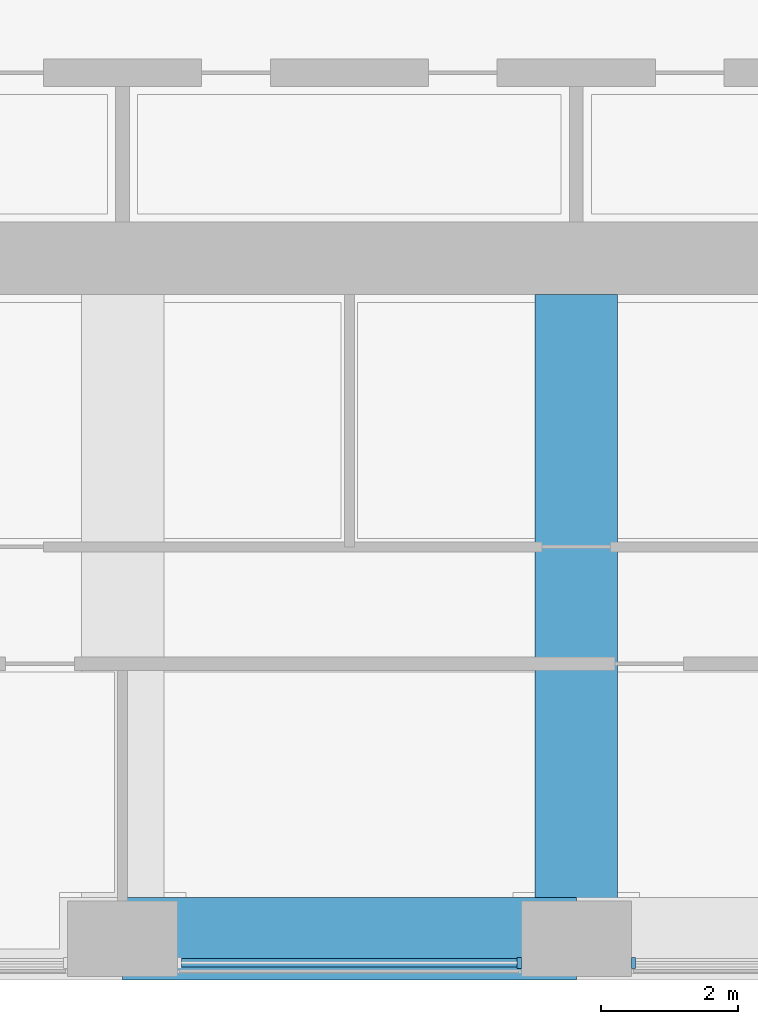
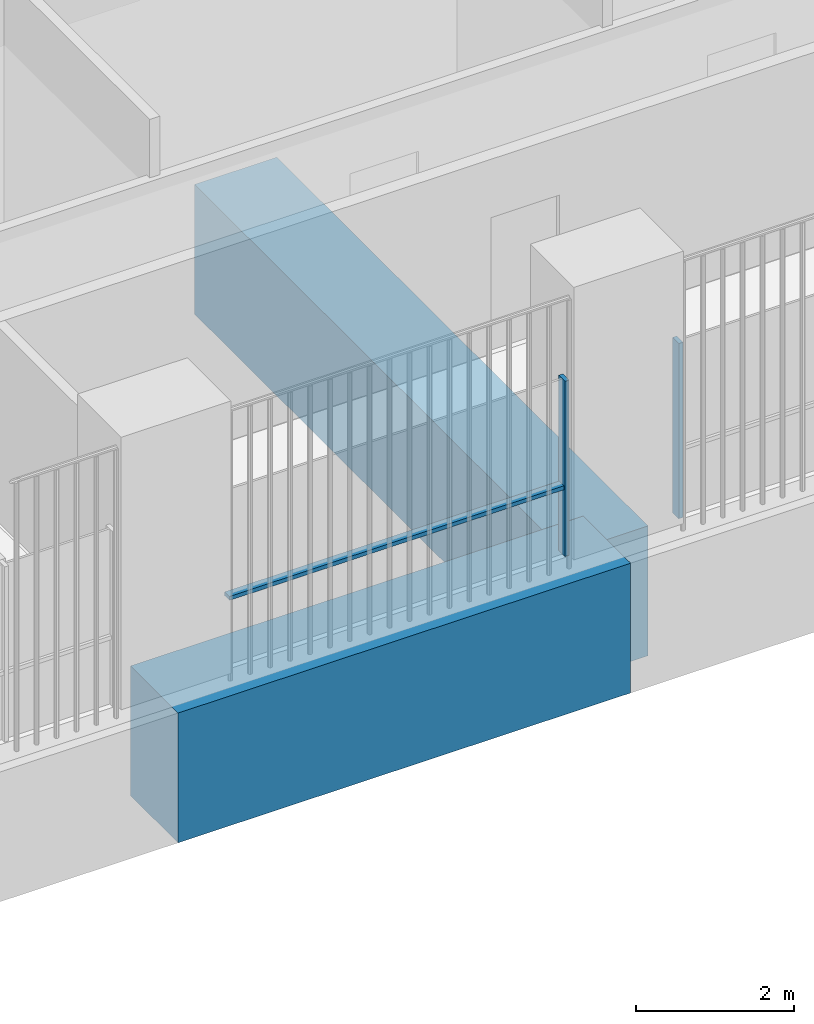
# One storey, part 3 of 24: 3 members, 2 beams, 2 elements without a shape of their own.
"""IFC4 building model written with IfcOpenShell, lengths in metres."""

from ifc_helpers import new_model, si_unit, direction, frame, origin, origin_2d, place, context, subcontext, project, spatial, rectangle, extrude, material, material_profile, profile_set, type_object, element, aggregate, save


model = new_model("IFC4")

# Units and contexts
model_context = context("Model", 3, precision=1e-05, world=origin(), true_north=direction((0.0, 1.0)))
body_context = subcontext(model_context, "Body", "Model", "MODEL_VIEW")
ifc_project = project(units=[si_unit("LENGTHUNIT", "METRE"), si_unit("AREAUNIT", "SQUARE_METRE"), si_unit("VOLUMEUNIT", "CUBIC_METRE"), si_unit("PLANEANGLEUNIT", "RADIAN"), si_unit("MASSUNIT", "GRAM", prefix="KILO")], contexts=[model_context])

# Site, building, storey
site_placement = place(None, origin())
site = spatial("IfcSite", under=ifc_project, at=site_placement, CompositionType="ELEMENT")
building_placement = place(site_placement, origin())
building = spatial("IfcBuilding", under=site, at=building_placement, Name="Cobogo Forest Laboratory Tower", CompositionType="ELEMENT")
storey_placement = place(building_placement, frame((0.0, 0.0, 229.199951171875)))
storey = spatial("IfcBuildingStorey", under=building, at=storey_placement, Name="L52", CompositionType="ELEMENT", Elevation=229.199951171875)

# Curtain wall, member
ifc_material_1 = material(Name="Aluminium curtain wall", Category="aluminium")
curtain_wall_type = type_object("IfcCurtainWallType", Name="CW-2 unitised curtain wall, solar control glazing, laboratory floors zones C and D", PredefinedType="USERDEFINED", material=ifc_material_1)
curtain_wall_1_placement = place(storey_placement, origin())
curtain_wall_1 = element("IfcCurtainWall", 1, at=curtain_wall_1_placement, inside=storey, type_object=curtain_wall_type, Name="Curtain wall 03 L52", ObjectType="UNITISED CURTAIN WALL", PredefinedType="USERDEFINED")
ifc_material_2 = material(Name="Aluminium mullion", Category="aluminium")
ifc_material_profile_1 = material_profile(ifc_material_2, rectangle(XDim=0.06005859375, YDim=0.159912109375, at=origin_2d()), Name="AL 60x160")
ifc_profile_set_1 = profile_set([ifc_material_profile_1], Name="Aluminium mullion")
member_type_1 = type_object("IfcMemberType", Name="MU-1 aluminium mullion 60x160", PredefinedType="MULLION", material=ifc_profile_set_1)
member_1_placement = place(storey_placement, frame((32.169921875, 2.949951171875, 0.0), z_axis=(0.0, 0.0, 1.0), x_axis=(1.0, 0.0, 0.0)))
member_1 = element("IfcMember", 2, at=member_1_placement, type_object=member_type_1, Name="CW-2 mullion 2", PredefinedType="MULLION", context=body_context, shape_type="SweptSolid", body=[
    extrude(rectangle(XDim=0.06005859375, YDim=0.159912109375, at=origin_2d()), origin(), (0.0, 0.0, 1.0), 2.699951171875),
])

curtain_wall_2_placement = place(storey_placement, origin())
curtain_wall_2 = element("IfcCurtainWall", 3, at=curtain_wall_2_placement, inside=storey, type_object=curtain_wall_type, Name="Curtain wall 04 L52", ObjectType="UNITISED CURTAIN WALL", PredefinedType="USERDEFINED")
member_2_placement = place(storey_placement, frame((33.830078125, 2.949951171875, 0.0), z_axis=(0.0, 0.0, 1.0), x_axis=(1.0, 0.0, 0.0)))
member_2 = element("IfcMember", 4, at=member_2_placement, type_object=member_type_1, Name="CW-2 mullion 1", PredefinedType="MULLION", context=body_context, shape_type="SweptSolid", body=[
    extrude(rectangle(XDim=0.06005859375, YDim=0.159912109375, at=origin_2d()), origin(), (0.0, 0.0, 1.0), 2.699951171875),
])
aggregate(curtain_wall_2, [member_2])

# Beams
ifc_material_3 = material(Name="Concrete HA-40 (C40/50)", Category="concrete")
ifc_material_profile_2 = material_profile(ifc_material_3, rectangle(XDim=1.199951171875, YDim=2.0, at=origin_2d()), Name="RC 1200x2000")
ifc_profile_set_2 = profile_set([ifc_material_profile_2], Name="Concrete HA-40 (C40/50)")
beam_type = type_object("IfcBeamType", Name="Setback floor girder 1200x2000", PredefinedType="BEAM", material=ifc_profile_set_2)
beam_1_placement = place(storey_placement, frame((33.0, 12.675048828125, -1.300048828125), z_axis=(0.0, -1.0, 0.0), x_axis=(1.0, 0.0, 0.0)))
element("IfcBeam", 5, at=beam_1_placement, inside=storey, type_object=beam_type, Name="TG2 R-6-S L52", PredefinedType="BEAM", context=body_context, shape_type="SweptSolid", body=[
    extrude(rectangle(XDim=1.199951171875, YDim=2.0, at=origin_2d()), origin(), (0.0, 0.0, 1.0), 9.375),
])
beam_2_placement = place(storey_placement, frame((26.39990234375, 3.300048828125, -1.300048828125), z_axis=(1.0, 0.0, 0.0), x_axis=(0.0, 1.0, 0.0)))
element("IfcBeam", 6, at=beam_2_placement, inside=storey, type_object=beam_type, Name="TG2 E-S3 L52", PredefinedType="BEAM", context=body_context, shape_type="SweptSolid", body=[
    extrude(rectangle(XDim=1.199951171875, YDim=2.0, at=origin_2d()), origin(), (0.0, 0.0, 1.0), 6.60009765625),
])

# Member
ifc_material_4 = material(Name="Aluminium transom", Category="aluminium")
ifc_material_profile_3 = material_profile(ifc_material_4, rectangle(XDim=0.1201171875, YDim=0.06005859375, at=origin_2d()), Name="AL 60x120")
ifc_profile_set_3 = profile_set([ifc_material_profile_3], Name="Aluminium transom")
member_type_2 = type_object("IfcMemberType", Name="TR-1 aluminium transom 60x120", PredefinedType="USERDEFINED", material=ifc_profile_set_3)
member_3_placement = place(storey_placement, frame((27.260009765625, 2.949951171875, 1.050048828125), z_axis=(1.0, 0.0, 0.0), x_axis=(0.0, 1.0, 0.0)))
member_3 = element("IfcMember", 7, at=member_3_placement, type_object=member_type_2, Name="CW-2 transom 1.1", ObjectType="TRANSOM", PredefinedType="USERDEFINED", context=body_context, shape_type="SweptSolid", body=[
    extrude(rectangle(XDim=0.1201171875, YDim=0.06005859375, at=origin_2d()), origin(), (0.0, 0.0, 1.0), 4.8798828125),
])

aggregate(curtain_wall_1, [member_1, member_3])

save(model, "model.ifc")
